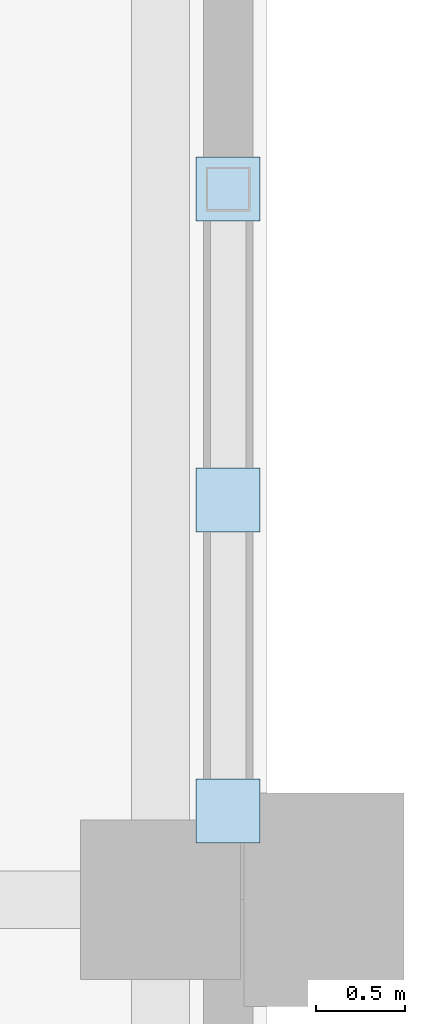
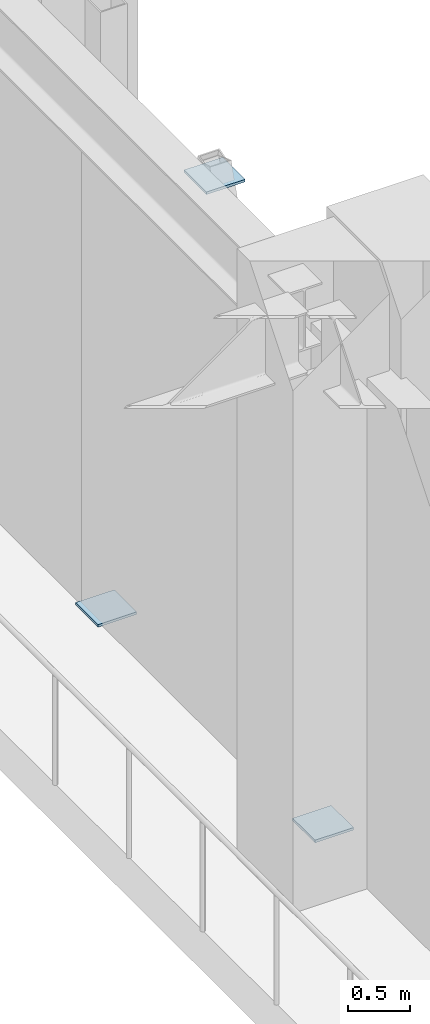
# One storey, part 102 of 143: 3 plates.
"""IFC4 building model written with IfcOpenShell, lengths in metres."""

from ifc_helpers import new_model, si_unit, derived_unit, direction, frame, origin, origin_2d, place, context, subcontext, project, spatial, rectangle, extrude, material, layer, layer_set, type_object, element, save


model = new_model("IFC4")

# Units and contexts
model_context = context("Model", 3, precision=1e-05, world=origin(), true_north=direction((0.0, 1.0)))
body_context = subcontext(model_context, "Body", "Model", "MODEL_VIEW")
ifc_project = project(units=[si_unit("LENGTHUNIT", "METRE"), si_unit("AREAUNIT", "SQUARE_METRE"), si_unit("VOLUMEUNIT", "CUBIC_METRE"), si_unit("PLANEANGLEUNIT", "RADIAN"), si_unit("MASSUNIT", "GRAM", prefix="KILO"), derived_unit("THERMALTRANSMITTANCEUNIT", [(si_unit("MASSUNIT", "GRAM", prefix="KILO"), 1), (si_unit("TIMEUNIT", "SECOND"), -3), (si_unit("THERMODYNAMICTEMPERATUREUNIT", "KELVIN"), -1)])], contexts=[model_context])

# Site, building, storey
site_placement = place(None, origin())
site = spatial("IfcSite", under=ifc_project, at=site_placement, CompositionType="ELEMENT")
building_placement = place(site_placement, origin())
building = spatial("IfcBuilding", under=site, at=building_placement, Name="Valcora Ridge Arena", CompositionType="ELEMENT")
storey_placement = place(building_placement, origin())
storey = spatial("IfcBuildingStorey", under=building, at=storey_placement, Name="L00", CompositionType="ELEMENT", Elevation=0.0)

# Plates
ifc_material = material(Name="Steel ASTM A572 Grade 50", Category="steel")
ifc_layer = layer(ifc_material, 0.02490234375, Name="Steel ASTM A572 Grade 50")
ifc_layer_set = layer_set([ifc_layer], Name="Steel ASTM A572 Grade 50")
plate_type = type_object("IfcPlateType", Name="TY-PLATE-PL-GUS-25", PredefinedType="USERDEFINED", material=ifc_layer_set)
for number, where, z_axis, x_axis, name in (
    (1, (191.780029296875, 120.699951171875, 0.0), (0.0, 0.0, 1.0), (1.0, 0.0, 0.0), "PL-GUS-25 BR-GP-0028"),
    (2, (191.780029296875, 124.199951171875, 0.0), (0.0, 0.0, 1.0), (1.0, 0.0, 0.0), "PL-GUS-25 BR-GP-0029"),
    (3, (191.780029296875, 122.449951171875, 5.320068359375), (0.0, 0.0, 1.0), (1.0, 0.0, 0.0), "PL-GUS-25 BR-GP-0030"),
):
    element("IfcPlate", number, at=place(storey_placement, frame(where, z_axis=z_axis, x_axis=x_axis)), inside=storey, type_object=plate_type, Name=name, ObjectType="GUSSET_PLATE", PredefinedType="USERDEFINED", context=body_context, shape_type="SweptSolid", body=[
        extrude(rectangle(XDim=0.360107421875, YDim=0.360107421875, at=origin_2d()), origin(), (0.0, 0.0, 1.0), 0.02490234375),
    ])

save(model, "model.ifc")
